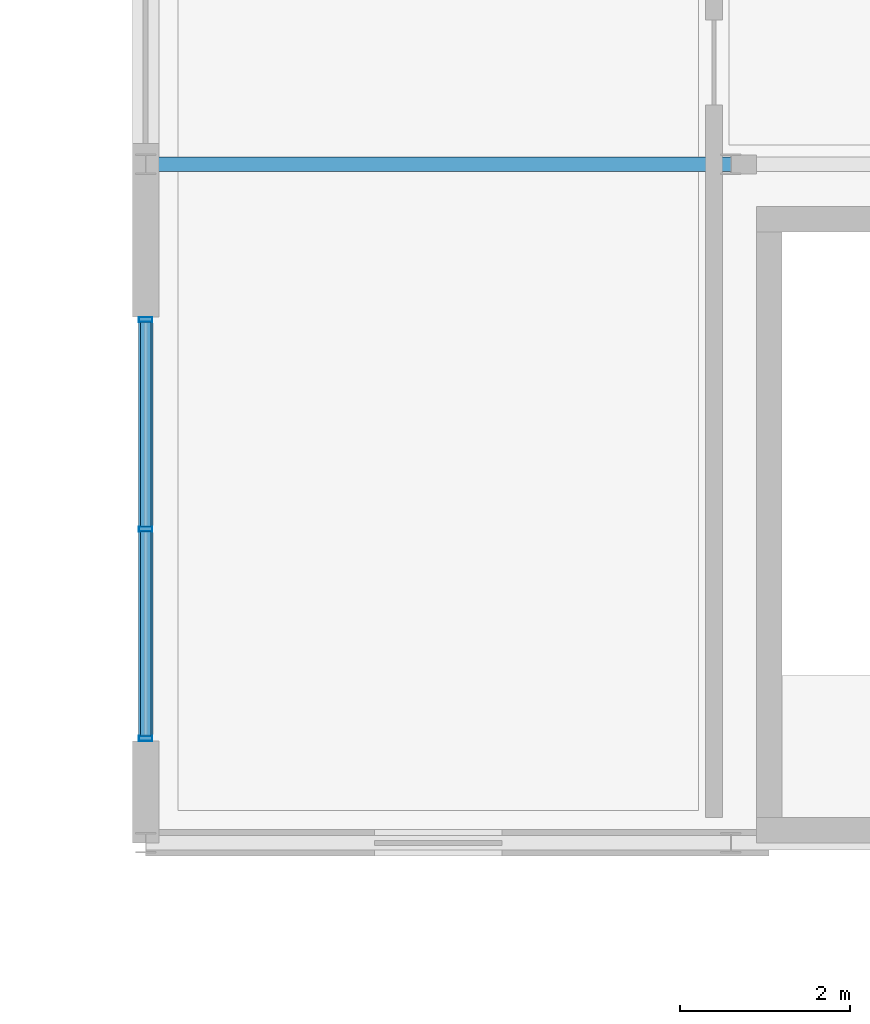
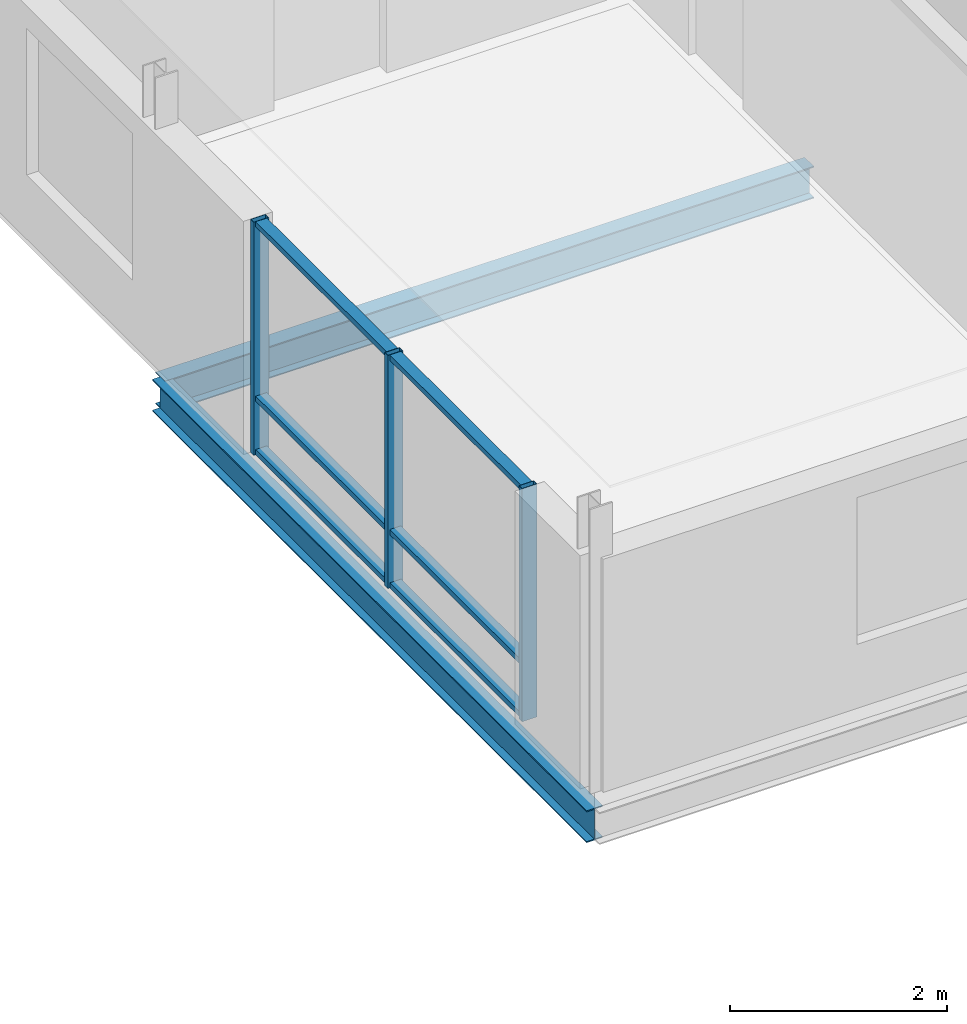
# One storey, part 15 of 109: 9 members, 2 beams, 1 element without a shape of its own.
"""IFC4 building model written with IfcOpenShell, lengths in metres."""

import ifcopenshell
import ifcopenshell.guid

model = None  # the IFC model being written
_history = None  # IfcOwnerHistory: only IFC2X3 demands one
_inside = {}  # id of a spatial element -> (the spatial element, [elements in it])
_under = {}  # id of a project, library or spatial element -> (it, [spatial elements below it])
_declared = {}  # id of a project -> (the project, [libraries it declares])
_typed = {}  # id of a type object -> (the type object, [elements of that type])
_made_of = {}  # id of a material, layer set ... -> (it, [elements and type objects made of it])


def new_model(schema):
    """Start an empty IFC model of exactly this schema.

    Asked for "IFC4X3", IfcOpenShell would pick the latest addendum, in which some entities
    have other attributes; the version numbers below select the first issue.
    IFC2X3 requires an IfcOwnerHistory on every rooted entity: one is made here for all.
    """
    global model, _history
    if schema == "IFC4X3":
        model = ifcopenshell.file(schema_version=(4, 3, 0, 0))
    else:
        model = ifcopenshell.file(schema=schema)
    _inside.clear()
    _under.clear()
    _declared.clear()
    _typed.clear()
    _made_of.clear()
    _history = None
    if model.schema == "IFC2X3":
        org = make("IfcOrganization", Name="unknown")
        user = make(
            "IfcPersonAndOrganization",
            ThePerson=make("IfcPerson", FamilyName="unknown"),
            TheOrganization=org,
        )
        app = make(
            "IfcApplication",
            ApplicationDeveloper=org,
            Version="unknown",
            ApplicationFullName="unknown",
            ApplicationIdentifier="unknown",
        )
        _history = make(
            "IfcOwnerHistory",
            OwningUser=user,
            OwningApplication=app,
            ChangeAction="ADDED",
            CreationDate=0,
        )
    return model


def make(cls, **values):
    """One entity of the class cls with the attributes given. An attribute that is None is left unset."""
    return model.create_entity(
        cls, **{name: value for name, value in values.items() if value is not None}
    )


def rooted(cls, **values):
    """An entity with a GlobalId (a new one), such as an element, a storey or a relation."""
    return make(cls, GlobalId=ifcopenshell.guid.new(), OwnerHistory=_history, **values)


def si_unit(unit_type, name, prefix=None):
    """IfcSIUnit, for example si_unit("LENGTHUNIT", "METRE", prefix="MILLI")."""
    return make("IfcSIUnit", UnitType=unit_type, Prefix=prefix, Name=name)


def assignment(units):
    """IfcUnitAssignment: the units of a project."""
    return None if units is None else make("IfcUnitAssignment", Units=units)


def point(xyz):
    """IfcCartesianPoint."""
    return None if xyz is None else make("IfcCartesianPoint", Coordinates=xyz)


def direction(xyz):
    """IfcDirection."""
    return None if xyz is None else make("IfcDirection", DirectionRatios=xyz)


def frame(location, z_axis=None, x_axis=None):
    """IfcAxis2Placement3D, a coordinate frame: its origin and axes. An axis left out is left unset."""
    return make(
        "IfcAxis2Placement3D",
        Location=point(location),
        Axis=direction(z_axis),
        RefDirection=direction(x_axis),
    )


def frame_2d(location, x_axis=None):
    """IfcAxis2Placement2D, a coordinate frame in the plane: its origin and x axis."""
    return make(
        "IfcAxis2Placement2D", Location=point(location), RefDirection=direction(x_axis)
    )


def origin():
    """The frame at (0, 0, 0) with its axes left unset."""
    return frame((0.0, 0.0, 0.0))


def origin_2d():
    """The frame at (0, 0) in the plane with its x axis left unset."""
    return frame_2d((0.0, 0.0))


def place(relative_to, where):
    """IfcLocalPlacement: puts the frame where relative to a parent placement (None: the world)."""
    return make(
        "IfcLocalPlacement", PlacementRelTo=relative_to, RelativePlacement=where
    )


def context(
    kind, dimensions, precision=None, world=None, true_north=None, identifier=None
):
    """IfcGeometricRepresentationContext, for example the 3D "Model" context."""
    return make(
        "IfcGeometricRepresentationContext",
        ContextIdentifier=identifier,
        ContextType=kind,
        CoordinateSpaceDimension=dimensions,
        Precision=precision,
        WorldCoordinateSystem=world,
        TrueNorth=true_north,
    )


def subcontext(parent, identifier, kind, view, scale=None):
    """IfcGeometricRepresentationSubContext, for example "Body" below "Model"."""
    return make(
        "IfcGeometricRepresentationSubContext",
        ContextIdentifier=identifier,
        ContextType=kind,
        ParentContext=parent,
        TargetScale=scale,
        TargetView=view,
    )


def project(units=None, contexts=None):
    """IfcProject with its units and contexts."""
    return rooted(
        "IfcProject",
        Name="project",
        RepresentationContexts=contexts,
        UnitsInContext=assignment(units),
    )


def spatial(cls, under=None, at=None, **own):
    """A site, building, storey or space (cls), placed at a placement, below another one or the project."""
    s = rooted(cls, ObjectPlacement=at, **own)
    if under is not None:
        _under.setdefault(under.id(), (under, []))[1].append(s)
    return s


def profile(cls, at=None, kind="AREA", **sizes):
    """A parametric profile (cls). Its sizes go by their IFC names, for example OverallWidth=200.0."""
    return make(cls, ProfileType=kind, Position=at, **sizes)


def hollow_rectangle(**sizes):
    """IfcRectangleHollowProfileDef."""
    return profile("IfcRectangleHollowProfileDef", **sizes)


def i_section(**sizes):
    """IfcIShapeProfileDef."""
    return profile("IfcIShapeProfileDef", **sizes)


def extrude(swept, where, along, depth):
    """IfcExtrudedAreaSolid: the profile swept, set in the frame where, extruded along a direction by depth."""
    return make(
        "IfcExtrudedAreaSolid",
        SweptArea=swept,
        Position=where,
        ExtrudedDirection=direction(along),
        Depth=depth,
    )


def shape(context_of_items, identifier, shape_type, items):
    """IfcShapeRepresentation: the items that make up one representation, for example the "Body"."""
    return make(
        "IfcShapeRepresentation",
        ContextOfItems=context_of_items,
        RepresentationIdentifier=identifier,
        RepresentationType=shape_type,
        Items=items,
    )


def material(Name=None, Category=None):
    """IfcMaterial."""
    return make("IfcMaterial", Name=Name, Category=Category)


def material_profile(
    of_material, cross_section, Name=None, Category=None, Priority=None
):
    """IfcMaterialProfile: a cross section and its material."""
    return make(
        "IfcMaterialProfile",
        Name=Name,
        Material=of_material,
        Profile=cross_section,
        Priority=Priority,
        Category=Category,
    )


def profile_set(profiles, Name=None, composite=None):
    """IfcMaterialProfileSet."""
    return make(
        "IfcMaterialProfileSet",
        Name=Name,
        MaterialProfiles=profiles,
        CompositeProfile=composite,
    )


def made_of(thing, what):
    """Note that an element or type object is made of a material, layer set ...; save() writes the relation."""
    if what is not None:
        _made_of.setdefault(what.id(), (what, []))[1].append(thing)
    return thing


def type_object(cls, material=None, **own):
    """A type object (cls), such as IfcWallType, which elements share."""
    return made_of(rooted(cls, **own), material)


def element(
    cls,
    number,
    at=None,
    inside=None,
    cuts=None,
    type_object=None,
    material=None,
    context=None,
    identifier="Body",
    shape_type=None,
    held_by="IfcProductDefinitionShape",
    body=None,
    shapes=None,
    **own,
):
    """One element of the class cls, such as IfcWall. Its Tag is "e" and its number.

    at: its placement. inside: the storey or other place that contains it. cuts: it is an
    opening in that element (IfcRelVoidsElement). A single representation is given by context,
    identifier, shape_type and body (its items); several are given by shapes. held_by: the class
    of the entity that holds the representations. save() writes the other relations.
    """
    e = rooted(cls, Tag="e%d" % number, ObjectPlacement=at, **own)
    if body is not None:
        shapes = [shape(context, identifier, shape_type, body)]
    if shapes is not None:
        e.Representation = make(held_by, Representations=shapes)
    if inside is not None:
        _inside.setdefault(inside.id(), (inside, []))[1].append(e)
    if cuts is not None:
        rooted(
            "IfcRelVoidsElement", RelatingBuildingElement=cuts, RelatedOpeningElement=e
        )
    if type_object is not None:
        _typed.setdefault(type_object.id(), (type_object, []))[1].append(e)
    return made_of(e, material)


def aggregate(whole, parts):
    """IfcRelAggregates: a whole, such as a stair, and the parts it consists of."""
    return rooted("IfcRelAggregates", RelatingObject=whole, RelatedObjects=parts)


def save(model, path):
    """Write the relations noted so far, then the file.

    IfcRelAggregates (storeys below a building ...), IfcRelContainedInSpatialStructure (elements
    in a storey), IfcRelDefinesByType, IfcRelAssociatesMaterial and IfcRelDeclares: one each for
    every whole, place, type object, material and project.
    """
    for whole, parts in _under.values():
        aggregate(whole, parts)
    for where, things in _inside.values():
        rooted(
            "IfcRelContainedInSpatialStructure",
            RelatedElements=things,
            RelatingStructure=where,
        )
    for kind, things in _typed.values():
        rooted("IfcRelDefinesByType", RelatedObjects=things, RelatingType=kind)
    for what, things in _made_of.values():
        rooted("IfcRelAssociatesMaterial", RelatedObjects=things, RelatingMaterial=what)
    for by, libraries in _declared.values():
        rooted("IfcRelDeclares", RelatingContext=by, RelatedDefinitions=libraries)
    model.write(path)


model = new_model("IFC4")

# Units and contexts
model_context = context("Model", 3, precision=1e-05, world=origin(), true_north=direction((0.0, 1.0)))
body_context = subcontext(model_context, "Body", "Model", "MODEL_VIEW")
ifc_project = project(units=[si_unit("LENGTHUNIT", "METRE"), si_unit("AREAUNIT", "SQUARE_METRE"), si_unit("VOLUMEUNIT", "CUBIC_METRE"), si_unit("PLANEANGLEUNIT", "RADIAN"), si_unit("MASSUNIT", "GRAM", prefix="KILO")], contexts=[model_context])

# Site, building, storey
site_placement = place(None, origin())
site = spatial("IfcSite", under=ifc_project, at=site_placement, CompositionType="ELEMENT")
building_placement = place(site_placement, origin())
building = spatial("IfcBuilding", under=site, at=building_placement, Name="Zavelmont Quarter", CompositionType="ELEMENT")
storey_placement = place(building_placement, frame((0.0, 0.0, 8.0)))
storey = spatial("IfcBuildingStorey", under=building, at=storey_placement, Name="L02", CompositionType="ELEMENT", Elevation=8.0)

# Beams
ifc_material_1 = material(Name="Steel S355", Category="steel")
ifc_material_profile_1 = material_profile(ifc_material_1, i_section(OverallWidth=0.169921875, OverallDepth=0.360107421875, WebThickness=0.008056640625, FlangeThickness=0.0126953125, at=origin_2d()), Name="IPE 360")
ifc_profile_set_1 = profile_set([ifc_material_profile_1], Name="Steel S355")
beam_type = type_object("IfcBeamType", Name="BM13", PredefinedType="BEAM", material=ifc_profile_set_1)
beam_1_placement = place(storey_placement, frame((0.0, 38.0, -0.449951171875), z_axis=(1.0, 0.0, 0.0), x_axis=(0.0, 1.0, 0.0)))
element("IfcBeam", 1, at=beam_1_placement, inside=storey, type_object=beam_type, Name="L02 beam BM13 1/G to 2/G", PredefinedType="BEAM", context=body_context, shape_type="SweptSolid", body=[
    extrude(i_section(OverallWidth=0.169921875, OverallDepth=0.360107421875, WebThickness=0.008056640625, FlangeThickness=0.0126953125, at=origin_2d()), origin(), (0.0, 0.0, 1.0), 6.89990234375),
])
beam_2_placement = place(storey_placement, frame((0.0, 30.0, -0.449951171875), z_axis=(0.0, 1.0, 0.0), x_axis=(-1.0, 0.0, 0.0)))
element("IfcBeam", 2, at=beam_2_placement, inside=storey, type_object=beam_type, Name="L02 beam BM13 1/F to 1/G", PredefinedType="BEAM", context=body_context, shape_type="SweptSolid", body=[
    extrude(i_section(OverallWidth=0.169921875, OverallDepth=0.360107421875, WebThickness=0.008056640625, FlangeThickness=0.0126953125, at=origin_2d()), origin(), (0.0, 0.0, 1.0), 8.0),
])

# Curtain wall, members
ifc_material_2 = material(Name="Thermally broken aluminium and double low-E safety glazing", Category="aluminium")
curtain_wall_type = type_object("IfcCurtainWallType", Name="CW-500X262", PredefinedType="NOTDEFINED", material=ifc_material_2)
curtain_wall_placement = place(storey_placement, origin())
curtain_wall = element("IfcCurtainWall", 3, at=curtain_wall_placement, inside=storey, type_object=curtain_wall_type, Name="L02 unitised curtain wall CW-500X262", PredefinedType="NOTDEFINED")
ifc_material_3 = material(Name="Powder-coated aluminium EN AW-6063-T6", Category="aluminium")
ifc_material_profile_2 = material_profile(ifc_material_3, hollow_rectangle(XDim=0.06005859375, YDim=0.159912109375, WallThickness=0.00390625, at=origin_2d()), Name="CWM60X160")
ifc_profile_set_2 = profile_set([ifc_material_profile_2], Name="Powder-coated aluminium EN AW-6063-T6")
member_type_1 = type_object("IfcMemberType", Name="CWM01", PredefinedType="MULLION", material=ifc_profile_set_2)
member_1_placement = place(storey_placement, frame((0.0, 31.22998046875, 0.0), z_axis=(0.0, 0.0, 1.0), x_axis=(0.0, 1.0, 0.0)))
member_1 = element("IfcMember", 4, at=member_1_placement, type_object=member_type_1, Name="CW-500X262 mullion 1", PredefinedType="MULLION", context=body_context, shape_type="SweptSolid", body=[
    extrude(hollow_rectangle(XDim=0.06005859375, YDim=0.159912109375, WallThickness=0.00390625, at=origin_2d()), origin(), (0.0, 0.0, 1.0), 2.6201171875),
])
member_2_placement = place(storey_placement, frame((0.0, 33.699951171875, 0.0), z_axis=(0.0, 0.0, 1.0), x_axis=(0.0, 1.0, 0.0)))
member_2 = element("IfcMember", 5, at=member_2_placement, type_object=member_type_1, Name="CW-500X262 mullion 2", PredefinedType="MULLION", context=body_context, shape_type="SweptSolid", body=[
    extrude(hollow_rectangle(XDim=0.06005859375, YDim=0.159912109375, WallThickness=0.00390625, at=origin_2d()), origin(), (0.0, 0.0, 1.0), 2.6201171875),
])
member_3_placement = place(storey_placement, frame((0.0, 36.169921875, 0.0), z_axis=(0.0, 0.0, 1.0), x_axis=(0.0, 1.0, 0.0)))
member_3 = element("IfcMember", 6, at=member_3_placement, type_object=member_type_1, Name="CW-500X262 mullion 3", PredefinedType="MULLION", context=body_context, shape_type="SweptSolid", body=[
    extrude(hollow_rectangle(XDim=0.06005859375, YDim=0.159912109375, WallThickness=0.00390625, at=origin_2d()), origin(), (0.0, 0.0, 1.0), 2.6201171875),
])
ifc_material_profile_3 = material_profile(ifc_material_3, hollow_rectangle(XDim=0.1201171875, YDim=0.06005859375, WallThickness=0.00390625, at=origin_2d()), Name="CWT60X120")
ifc_profile_set_3 = profile_set([ifc_material_profile_3], Name="Powder-coated aluminium EN AW-6063-T6")
member_type_2 = type_object("IfcMemberType", Name="CWT01", PredefinedType="NOTDEFINED", material=ifc_profile_set_3)
member_4_placement = place(storey_placement, frame((0.0, 31.260009765625, 0.030029296875), z_axis=(0.0, 1.0, 0.0), x_axis=(-1.0, 0.0, 0.0)))
member_4 = element("IfcMember", 7, at=member_4_placement, type_object=member_type_2, Name="CW-500X262 transom 1.1", ObjectType="TRANSOM", PredefinedType="USERDEFINED", context=body_context, shape_type="SweptSolid", body=[
    extrude(hollow_rectangle(XDim=0.1201171875, YDim=0.06005859375, WallThickness=0.00390625, at=origin_2d()), origin(), (0.0, 0.0, 1.0), 2.409912109375),
])
member_5_placement = place(storey_placement, frame((0.0, 31.260009765625, 0.62890625), z_axis=(0.0, 1.0, 0.0), x_axis=(-1.0, 0.0, 0.0)))
member_5 = element("IfcMember", 8, at=member_5_placement, type_object=member_type_2, Name="CW-500X262 transom 1.2", ObjectType="TRANSOM", PredefinedType="USERDEFINED", context=body_context, shape_type="SweptSolid", body=[
    extrude(hollow_rectangle(XDim=0.1201171875, YDim=0.06005859375, WallThickness=0.00390625, at=origin_2d()), origin(), (0.0, 0.0, 1.0), 2.409912109375),
])
member_6_placement = place(storey_placement, frame((0.0, 31.260009765625, 2.590087890625), z_axis=(0.0, 1.0, 0.0), x_axis=(-1.0, 0.0, 0.0)))
member_6 = element("IfcMember", 9, at=member_6_placement, type_object=member_type_2, Name="CW-500X262 transom 1.3", ObjectType="TRANSOM", PredefinedType="USERDEFINED", context=body_context, shape_type="SweptSolid", body=[
    extrude(hollow_rectangle(XDim=0.1201171875, YDim=0.06005859375, WallThickness=0.00390625, at=origin_2d()), origin(), (0.0, 0.0, 1.0), 2.409912109375),
])
member_7_placement = place(storey_placement, frame((0.0, 33.72998046875, 0.030029296875), z_axis=(0.0, 1.0, 0.0), x_axis=(-1.0, 0.0, 0.0)))
member_7 = element("IfcMember", 10, at=member_7_placement, type_object=member_type_2, Name="CW-500X262 transom 2.1", ObjectType="TRANSOM", PredefinedType="USERDEFINED", context=body_context, shape_type="SweptSolid", body=[
    extrude(hollow_rectangle(XDim=0.1201171875, YDim=0.06005859375, WallThickness=0.00390625, at=origin_2d()), origin(), (0.0, 0.0, 1.0), 2.409912109375),
])
member_8_placement = place(storey_placement, frame((0.0, 33.72998046875, 0.62890625), z_axis=(0.0, 1.0, 0.0), x_axis=(-1.0, 0.0, 0.0)))
member_8 = element("IfcMember", 11, at=member_8_placement, type_object=member_type_2, Name="CW-500X262 transom 2.2", ObjectType="TRANSOM", PredefinedType="USERDEFINED", context=body_context, shape_type="SweptSolid", body=[
    extrude(hollow_rectangle(XDim=0.1201171875, YDim=0.06005859375, WallThickness=0.00390625, at=origin_2d()), origin(), (0.0, 0.0, 1.0), 2.409912109375),
])
member_9_placement = place(storey_placement, frame((0.0, 33.72998046875, 2.590087890625), z_axis=(0.0, 1.0, 0.0), x_axis=(-1.0, 0.0, 0.0)))
member_9 = element("IfcMember", 12, at=member_9_placement, type_object=member_type_2, Name="CW-500X262 transom 2.3", ObjectType="TRANSOM", PredefinedType="USERDEFINED", context=body_context, shape_type="SweptSolid", body=[
    extrude(hollow_rectangle(XDim=0.1201171875, YDim=0.06005859375, WallThickness=0.00390625, at=origin_2d()), origin(), (0.0, 0.0, 1.0), 2.409912109375),
])
aggregate(curtain_wall, [member_1, member_2, member_3, member_4, member_5, member_6, member_7, member_8, member_9])

save(model, "model.ifc")
